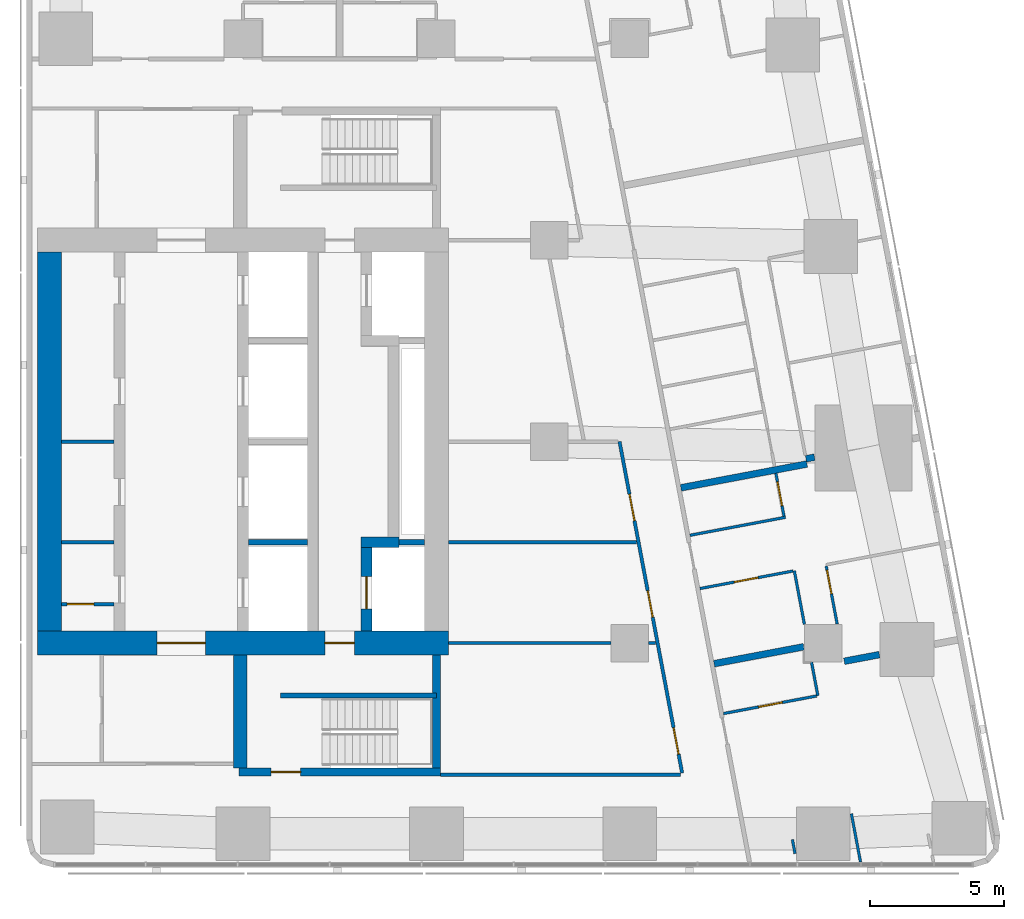
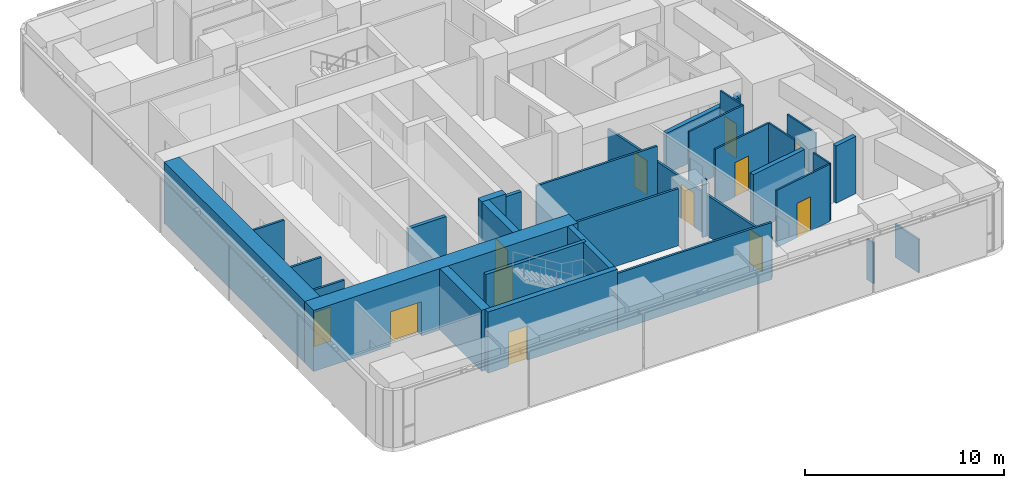
# One storey, part 5 of 11: 31 walls, 12 doors, 12 openings.
"""IFC4 building model written with IfcOpenShell, lengths in metres."""

import ifcopenshell
import ifcopenshell.guid

model = None  # the IFC model being written
_history = None  # IfcOwnerHistory: only IFC2X3 demands one
_inside = {}  # id of a spatial element -> (the spatial element, [elements in it])
_under = {}  # id of a project, library or spatial element -> (it, [spatial elements below it])
_declared = {}  # id of a project -> (the project, [libraries it declares])
_typed = {}  # id of a type object -> (the type object, [elements of that type])
_made_of = {}  # id of a material, layer set ... -> (it, [elements and type objects made of it])


def new_model(schema):
    """Start an empty IFC model of exactly this schema.

    Asked for "IFC4X3", IfcOpenShell would pick the latest addendum, in which some entities
    have other attributes; the version numbers below select the first issue.
    IFC2X3 requires an IfcOwnerHistory on every rooted entity: one is made here for all.
    """
    global model, _history
    if schema == "IFC4X3":
        model = ifcopenshell.file(schema_version=(4, 3, 0, 0))
    else:
        model = ifcopenshell.file(schema=schema)
    _inside.clear()
    _under.clear()
    _declared.clear()
    _typed.clear()
    _made_of.clear()
    _history = None
    if model.schema == "IFC2X3":
        org = make("IfcOrganization", Name="unknown")
        user = make(
            "IfcPersonAndOrganization",
            ThePerson=make("IfcPerson", FamilyName="unknown"),
            TheOrganization=org,
        )
        app = make(
            "IfcApplication",
            ApplicationDeveloper=org,
            Version="unknown",
            ApplicationFullName="unknown",
            ApplicationIdentifier="unknown",
        )
        _history = make(
            "IfcOwnerHistory",
            OwningUser=user,
            OwningApplication=app,
            ChangeAction="ADDED",
            CreationDate=0,
        )
    return model


def make(cls, **values):
    """One entity of the class cls with the attributes given. An attribute that is None is left unset."""
    return model.create_entity(
        cls, **{name: value for name, value in values.items() if value is not None}
    )


def rooted(cls, **values):
    """An entity with a GlobalId (a new one), such as an element, a storey or a relation."""
    return make(cls, GlobalId=ifcopenshell.guid.new(), OwnerHistory=_history, **values)


def si_unit(unit_type, name, prefix=None):
    """IfcSIUnit, for example si_unit("LENGTHUNIT", "METRE", prefix="MILLI")."""
    return make("IfcSIUnit", UnitType=unit_type, Prefix=prefix, Name=name)


def assignment(units):
    """IfcUnitAssignment: the units of a project."""
    return None if units is None else make("IfcUnitAssignment", Units=units)


def point(xyz):
    """IfcCartesianPoint."""
    return None if xyz is None else make("IfcCartesianPoint", Coordinates=xyz)


def direction(xyz):
    """IfcDirection."""
    return None if xyz is None else make("IfcDirection", DirectionRatios=xyz)


def frame(location, z_axis=None, x_axis=None):
    """IfcAxis2Placement3D, a coordinate frame: its origin and axes. An axis left out is left unset."""
    return make(
        "IfcAxis2Placement3D",
        Location=point(location),
        Axis=direction(z_axis),
        RefDirection=direction(x_axis),
    )


def frame_2d(location, x_axis=None):
    """IfcAxis2Placement2D, a coordinate frame in the plane: its origin and x axis."""
    return make(
        "IfcAxis2Placement2D", Location=point(location), RefDirection=direction(x_axis)
    )


def origin():
    """The frame at (0, 0, 0) with its axes left unset."""
    return frame((0.0, 0.0, 0.0))


def place(relative_to, where):
    """IfcLocalPlacement: puts the frame where relative to a parent placement (None: the world)."""
    return make(
        "IfcLocalPlacement", PlacementRelTo=relative_to, RelativePlacement=where
    )


def context(
    kind, dimensions, precision=None, world=None, true_north=None, identifier=None
):
    """IfcGeometricRepresentationContext, for example the 3D "Model" context."""
    return make(
        "IfcGeometricRepresentationContext",
        ContextIdentifier=identifier,
        ContextType=kind,
        CoordinateSpaceDimension=dimensions,
        Precision=precision,
        WorldCoordinateSystem=world,
        TrueNorth=true_north,
    )


def subcontext(parent, identifier, kind, view, scale=None):
    """IfcGeometricRepresentationSubContext, for example "Body" below "Model"."""
    return make(
        "IfcGeometricRepresentationSubContext",
        ContextIdentifier=identifier,
        ContextType=kind,
        ParentContext=parent,
        TargetScale=scale,
        TargetView=view,
    )


def project(units=None, contexts=None):
    """IfcProject with its units and contexts."""
    return rooted(
        "IfcProject",
        Name="project",
        RepresentationContexts=contexts,
        UnitsInContext=assignment(units),
    )


def spatial(cls, under=None, at=None, **own):
    """A site, building, storey or space (cls), placed at a placement, below another one or the project."""
    s = rooted(cls, ObjectPlacement=at, **own)
    if under is not None:
        _under.setdefault(under.id(), (under, []))[1].append(s)
    return s


def profile(cls, at=None, kind="AREA", **sizes):
    """A parametric profile (cls). Its sizes go by their IFC names, for example OverallWidth=200.0."""
    return make(cls, ProfileType=kind, Position=at, **sizes)


def rectangle(**sizes):
    """IfcRectangleProfileDef."""
    return profile("IfcRectangleProfileDef", **sizes)


def extrude(swept, where, along, depth):
    """IfcExtrudedAreaSolid: the profile swept, set in the frame where, extruded along a direction by depth."""
    return make(
        "IfcExtrudedAreaSolid",
        SweptArea=swept,
        Position=where,
        ExtrudedDirection=direction(along),
        Depth=depth,
    )


def shape(context_of_items, identifier, shape_type, items):
    """IfcShapeRepresentation: the items that make up one representation, for example the "Body"."""
    return make(
        "IfcShapeRepresentation",
        ContextOfItems=context_of_items,
        RepresentationIdentifier=identifier,
        RepresentationType=shape_type,
        Items=items,
    )


def material(Name=None, Category=None):
    """IfcMaterial."""
    return make("IfcMaterial", Name=Name, Category=Category)


def layer(
    of_material, thickness, ventilated=None, Name=None, Category=None, Priority=None
):
    """IfcMaterialLayer: one layer of a wall or slab, of a material (None: an air gap)."""
    return make(
        "IfcMaterialLayer",
        Material=of_material,
        LayerThickness=thickness,
        IsVentilated=ventilated,
        Name=Name,
        Category=Category,
        Priority=Priority,
    )


def layer_set(layers, Name=None):
    """IfcMaterialLayerSet."""
    return make("IfcMaterialLayerSet", MaterialLayers=layers, LayerSetName=Name)


def made_of(thing, what):
    """Note that an element or type object is made of a material, layer set ...; save() writes the relation."""
    if what is not None:
        _made_of.setdefault(what.id(), (what, []))[1].append(thing)
    return thing


def type_object(cls, material=None, **own):
    """A type object (cls), such as IfcWallType, which elements share."""
    return made_of(rooted(cls, **own), material)


def element(
    cls,
    number,
    at=None,
    inside=None,
    cuts=None,
    type_object=None,
    material=None,
    context=None,
    identifier="Body",
    shape_type=None,
    held_by="IfcProductDefinitionShape",
    body=None,
    shapes=None,
    **own,
):
    """One element of the class cls, such as IfcWall. Its Tag is "e" and its number.

    at: its placement. inside: the storey or other place that contains it. cuts: it is an
    opening in that element (IfcRelVoidsElement). A single representation is given by context,
    identifier, shape_type and body (its items); several are given by shapes. held_by: the class
    of the entity that holds the representations. save() writes the other relations.
    """
    e = rooted(cls, Tag="e%d" % number, ObjectPlacement=at, **own)
    if body is not None:
        shapes = [shape(context, identifier, shape_type, body)]
    if shapes is not None:
        e.Representation = make(held_by, Representations=shapes)
    if inside is not None:
        _inside.setdefault(inside.id(), (inside, []))[1].append(e)
    if cuts is not None:
        rooted(
            "IfcRelVoidsElement", RelatingBuildingElement=cuts, RelatedOpeningElement=e
        )
    if type_object is not None:
        _typed.setdefault(type_object.id(), (type_object, []))[1].append(e)
    return made_of(e, material)


def fill(opening, filler):
    """IfcRelFillsElement: the door or window that sits in an opening."""
    return rooted(
        "IfcRelFillsElement",
        RelatingOpeningElement=opening,
        RelatedBuildingElement=filler,
    )


def aggregate(whole, parts):
    """IfcRelAggregates: a whole, such as a stair, and the parts it consists of."""
    return rooted("IfcRelAggregates", RelatingObject=whole, RelatedObjects=parts)


def save(model, path):
    """Write the relations noted so far, then the file.

    IfcRelAggregates (storeys below a building ...), IfcRelContainedInSpatialStructure (elements
    in a storey), IfcRelDefinesByType, IfcRelAssociatesMaterial and IfcRelDeclares: one each for
    every whole, place, type object, material and project.
    """
    for whole, parts in _under.values():
        aggregate(whole, parts)
    for where, things in _inside.values():
        rooted(
            "IfcRelContainedInSpatialStructure",
            RelatedElements=things,
            RelatingStructure=where,
        )
    for kind, things in _typed.values():
        rooted("IfcRelDefinesByType", RelatedObjects=things, RelatingType=kind)
    for what, things in _made_of.values():
        rooted("IfcRelAssociatesMaterial", RelatedObjects=things, RelatingMaterial=what)
    for by, libraries in _declared.values():
        rooted("IfcRelDeclares", RelatingContext=by, RelatedDefinitions=libraries)
    model.write(path)


model = new_model("IFC4")

# Units and contexts
model_context = context("Model", 3, precision=1e-05, world=origin(), true_north=direction((0.0, 1.0)))
body_context = subcontext(model_context, "Body", "Model", "MODEL_VIEW")
ifc_project = project(units=[si_unit("LENGTHUNIT", "METRE"), si_unit("AREAUNIT", "SQUARE_METRE"), si_unit("VOLUMEUNIT", "CUBIC_METRE"), si_unit("PLANEANGLEUNIT", "RADIAN"), si_unit("MASSUNIT", "GRAM", prefix="KILO")], contexts=[model_context])

# Site, building, storey
site_placement = place(None, origin())
site = spatial("IfcSite", under=ifc_project, at=site_placement, CompositionType="ELEMENT")
building_placement = place(site_placement, origin())
building = spatial("IfcBuilding", under=site, at=building_placement, Name="Sheger Commons Tower", CompositionType="ELEMENT")
storey_placement = place(building_placement, frame((0.0, 0.0, 255.35009765625)))
storey = spatial("IfcBuildingStorey", under=building, at=storey_placement, Name="L65", CompositionType="ELEMENT", Elevation=255.35009765625)

# Wall, opening, door
ifc_material_1 = material(Name="Concrete C50/60", Category="concrete")
ifc_layer_1 = layer(ifc_material_1, 0.39990234375)
ifc_layer_set_1 = layer_set([ifc_layer_1], Name="CORE INNER WALL 400")
wall_type_1 = type_object("IfcWallType", Name="CORE INNER WALL 400", PredefinedType="SHEAR", material=ifc_layer_set_1)
wall_1_placement = place(storey_placement, frame((26.199951171875, 15.449951171875, 0.0), z_axis=(0.0, 0.0, 1.0), x_axis=(0.0, 1.0, 0.0)))
wall_1 = element("IfcWall", 1, at=wall_1_placement, inside=storey, type_object=wall_type_1, Name="Core inner wall F L65", PredefinedType="SHEAR", context=body_context, shape_type="SweptSolid", body=[
    extrude(rectangle(XDim=3.10009765625, YDim=0.39990234375, at=frame_2d((1.550048828125, 0.0))), origin(), (0.0, 0.0, 1.0), 3.75),
])
opening_1_placement = place(wall_1_placement, frame((0.824951171875, 0.0, 0.0)))
opening_1 = element("IfcOpeningElement", 2, at=opening_1_placement, cuts=wall_1, Name="Opening LD2", PredefinedType="OPENING", context=body_context, shape_type="SweptSolid", body=[
    extrude(rectangle(XDim=1.199951171875, YDim=2.10009765625, at=frame_2d((0.60009765625, 1.050048828125))), frame((0.0, 0.2099609375, 0.0), z_axis=(0.0, -1.0, 0.0), x_axis=(1.0, 0.0, 0.0)), (0.0, 0.0, 1.0), 0.419921875),
])
ifc_material_2 = material(Name="Steel door set, fire rated", Category="steel")
door_type_1 = type_object("IfcDoorType", Name="FIREFIGHTING LIFT LANDING DOOR 1200x2100", OperationType="DOUBLE_DOOR_SLIDING", PredefinedType="DOOR", material=ifc_material_2)
door_1_placement = place(opening_1_placement, origin())
door_1 = element("IfcDoor", 3, at=door_1_placement, inside=storey, type_object=door_type_1, Name="Lift FL1 landing door", OperationType="DOUBLE_DOOR_SLIDING", OverallHeight=2.10009765625, OverallWidth=1.199951171875, PredefinedType="DOOR", context=body_context, shape_type="SweptSolid", body=[
    extrude(rectangle(XDim=1.199951171875, YDim=2.10009765625, at=frame_2d((0.60009765625, 1.050048828125))), frame((0.0, 0.02490234375, 0.0), z_axis=(0.0, -1.0, 0.0), x_axis=(1.0, 0.0, 0.0)), (0.0, 0.0, 1.0), 0.050048828125),
])
fill(opening_1, door_1)

# Wall
wall_2_placement = place(storey_placement, frame((26.0, 18.75, 0.0), z_axis=(0.0, 0.0, 1.0), x_axis=(1.0, 0.0, 0.0)))
element("IfcWall", 4, at=wall_2_placement, inside=storey, type_object=wall_type_1, Name="Core inner wall F south return L65", PredefinedType="SHEAR", context=body_context, shape_type="SweptSolid", body=[
    extrude(rectangle(XDim=1.39990234375, YDim=0.39990234375, at=frame_2d((0.699951171875, 0.0))), origin(), (0.0, 0.0, 1.0), 3.75),
])

# Wall, openings, doors
ifc_material_3 = material(Name="Concrete C50/60", Category="concrete")
ifc_layer_2 = layer(ifc_material_3, 0.89990234375)
ifc_layer_set_2 = layer_set([ifc_layer_2], Name="CORE WALL 900")
wall_type_2 = type_object("IfcWallType", Name="CORE WALL 900", PredefinedType="SHEAR", material=ifc_layer_set_2)
wall_3_placement = place(storey_placement, frame((13.949951171875, 15.0, 0.0), z_axis=(0.0, 0.0, 1.0), x_axis=(1.0, 0.0, 0.0)))
wall_3 = element("IfcWall", 5, at=wall_3_placement, inside=storey, type_object=wall_type_2, Name="Core wall south L65", PredefinedType="SHEAR", context=body_context, shape_type="SweptSolid", body=[
    extrude(rectangle(XDim=15.300048828125, YDim=0.89990234375, at=frame_2d((7.64990234375, 0.0))), origin(), (0.0, 0.0, 1.0), 3.75),
])
opening_2_placement = place(wall_3_placement, frame((4.449951171875, 0.0, 0.0)))
opening_2 = element("IfcOpeningElement", 6, at=opening_2_placement, cuts=wall_3, Name="Opening D6", PredefinedType="OPENING", context=body_context, shape_type="SweptSolid", body=[
    extrude(rectangle(XDim=1.800048828125, YDim=2.10009765625, at=frame_2d((0.89990234375, 1.050048828125))), frame((0.0, 0.4599609375, 0.0), z_axis=(0.0, -1.0, 0.0), x_axis=(1.0, 0.0, 0.0)), (0.0, 0.0, 1.0), 0.919921875),
])
opening_3_placement = place(wall_3_placement, frame((10.699951171875, 0.0, 0.0)))
opening_3 = element("IfcOpeningElement", 7, at=opening_3_placement, cuts=wall_3, Name="Opening D5", PredefinedType="OPENING", context=body_context, shape_type="SweptSolid", body=[
    extrude(rectangle(XDim=1.10009765625, YDim=2.10009765625, at=frame_2d((0.550048828125, 1.050048828125))), frame((0.0, 0.4599609375, 0.0), z_axis=(0.0, -1.0, 0.0), x_axis=(1.0, 0.0, 0.0)), (0.0, 0.0, 1.0), 0.919921875),
])
ifc_material_4 = material(Name="Steel door set, fire rated", Category="steel")
door_type_2 = type_object("IfcDoorType", Name="LOBBY DOUBLE DOOR 1800x2100", OperationType="DOUBLE_DOOR_SINGLE_SWING", PredefinedType="DOOR", material=ifc_material_4)
door_2_placement = place(opening_2_placement, origin())
door_2 = element("IfcDoor", 8, at=door_2_placement, inside=storey, type_object=door_type_2, Name="Lift lobby door", OperationType="DOUBLE_DOOR_SINGLE_SWING", OverallHeight=2.10009765625, OverallWidth=1.800048828125, PredefinedType="DOOR", context=body_context, shape_type="SweptSolid", body=[
    extrude(rectangle(XDim=1.800048828125, YDim=2.10009765625, at=frame_2d((0.89990234375, 1.050048828125))), frame((0.0, 0.02490234375, 0.0), z_axis=(0.0, -1.0, 0.0), x_axis=(1.0, 0.0, 0.0)), (0.0, 0.0, 1.0), 0.050048828125),
])
fill(opening_2, door_2)
ifc_material_5 = material(Name="Steel door set, fire rated", Category="steel")
door_type_3 = type_object("IfcDoorType", Name="STAIR DOOR 1100x2100", OperationType="NOTDEFINED", PredefinedType="DOOR", material=ifc_material_5)
door_3_placement = place(opening_3_placement, origin())
door_3 = element("IfcDoor", 9, at=door_3_placement, inside=storey, type_object=door_type_3, Name="Fire-fighting lobby door", OperationType="SINGLE_SWING_LEFT", OverallHeight=2.10009765625, OverallWidth=1.10009765625, PredefinedType="DOOR", context=body_context, shape_type="SweptSolid", body=[
    extrude(rectangle(XDim=1.10009765625, YDim=2.10009765625, at=frame_2d((0.550048828125, 1.050048828125))), frame((0.0, 0.02490234375, 0.0), z_axis=(0.0, -1.0, 0.0), x_axis=(1.0, 0.0, 0.0)), (0.0, 0.0, 1.0), 0.050048828125),
])
fill(opening_3, door_3)

# Walls
wall_4_placement = place(storey_placement, frame((14.39990234375, 15.449951171875, 0.0), z_axis=(0.0, 0.0, 1.0), x_axis=(0.0, 1.0, 0.0)))
element("IfcWall", 10, at=wall_4_placement, inside=storey, type_object=wall_type_2, Name="Core wall west L65", PredefinedType="SHEAR", context=body_context, shape_type="SweptSolid", body=[
    extrude(rectangle(XDim=14.10009765625, YDim=0.89990234375, at=frame_2d((7.050048828125, 0.0))), origin(), (0.0, 0.0, 1.0), 3.75),
])
ifc_material_6 = material(Name="Dense concrete block masonry, plastered both sides (separating wall between flats)", Category="masonry")
ifc_layer_3 = layer(ifc_material_6, 0.25)
ifc_layer_set_3 = layer_set([ifc_layer_3], Name="DEMISING WALL 250")
wall_type_3 = type_object("IfcWallType", Name="DEMISING WALL 250", PredefinedType="SOLIDWALL", material=ifc_layer_set_3)
wall_5_placement = place(storey_placement, frame((42.873046875, 21.91796875, 0.0), z_axis=(0.0, 0.0, 1.0), x_axis=(-0.982431406936, -0.186624035603, 0.0)))
element("IfcWall", 11, at=wall_5_placement, inside=storey, type_object=wall_type_3, Name="Demising wall L65", PredefinedType="SOLIDWALL", context=body_context, shape_type="SweptSolid", body=[
    extrude(rectangle(XDim=0.32177734375, YDim=0.25, at=frame_2d((0.160888671875, 0.0))), origin(), (0.0, 0.0, 1.0), 2.5),
])
wall_6_placement = place(storey_placement, frame((42.593017578125, 21.6650390625, 0.0), z_axis=(0.0, 0.0, 1.0), x_axis=(-0.982635807605, -0.185544791394, 0.0)))
element("IfcWall", 12, at=wall_6_placement, inside=storey, type_object=wall_type_3, Name="Demising wall L65", PredefinedType="SOLIDWALL", context=body_context, shape_type="SweptSolid", body=[
    extrude(rectangle(XDim=4.775146484375, YDim=0.25, at=frame_2d((2.3876953125, 0.0))), origin(), (0.0, 0.0, 1.0), 2.5),
])
wall_7_placement = place(storey_placement, frame((45.2900390625, 14.569091796875, 0.0), z_axis=(0.0, 0.0, 1.0), x_axis=(-0.982676759201, -0.185327782391, 0.0)))
element("IfcWall", 13, at=wall_7_placement, inside=storey, type_object=wall_type_3, Name="Demising wall L65", PredefinedType="SOLIDWALL", context=body_context, shape_type="SweptSolid", body=[
    extrude(rectangle(XDim=1.333251953125, YDim=0.25, at=frame_2d((0.66650390625, 0.0))), origin(), (0.0, 0.0, 1.0), 3.5),
])
wall_8_placement = place(storey_placement, frame((42.47607421875, 14.863037109375, 0.0), z_axis=(0.0, 0.0, 1.0), x_axis=(-0.982603567712, -0.185715450942, 0.0)))
element("IfcWall", 14, at=wall_8_placement, inside=storey, type_object=wall_type_3, Name="Demising wall L65", PredefinedType="SOLIDWALL", context=body_context, shape_type="SweptSolid", body=[
    extrude(rectangle(XDim=3.398193359375, YDim=0.25, at=frame_2d((1.69921875, 0.0))), origin(), (0.0, 0.0, 1.0), 3.5),
])
ifc_material_7 = material(Name="Gypsum board on steel studs", Category="steel")
ifc_layer_4 = layer(ifc_material_7, 0.10009765625)
ifc_layer_set_4 = layer_set([ifc_layer_4], Name="PARTITION 100")
wall_type_4 = type_object("IfcWallType", Name="PARTITION 100", PredefinedType="PARTITIONING", material=ifc_layer_set_4)
wall_9_placement = place(storey_placement, frame((44.248046875, 8.64599609375, 0.0), z_axis=(0.0, 0.0, 1.0), x_axis=(0.185417594585, -0.982659816833, 0.0)))
element("IfcWall", 15, at=wall_9_placement, inside=storey, type_object=wall_type_4, Name="Partition L65", PredefinedType="PARTITIONING", context=body_context, shape_type="SweptSolid", body=[
    extrude(rectangle(XDim=1.82763671875, YDim=0.10009765625, at=frame_2d((0.913818359375, 0.0))), origin(), (0.0, 0.0, 1.0), 2.0498046875),
])
wall_10_placement = place(storey_placement, frame((42.15087890625, 7.159912109375, 0.0), z_axis=(0.0, 0.0, 1.0), x_axis=(-0.185366164644, 0.982669519729, 0.0)))
element("IfcWall", 16, at=wall_10_placement, inside=storey, type_object=wall_type_4, Name="Partition L65", PredefinedType="PARTITIONING", context=body_context, shape_type="SweptSolid", body=[
    extrude(rectangle(XDim=0.533447265625, YDim=0.10009765625, at=frame_2d((0.2666015625, 0.0))), origin(), (0.0, 0.0, 1.0), 2.5),
])

# Wall, opening, door
wall_11_placement = place(storey_placement, frame((41.43701171875, 21.319091796875, 0.0), z_axis=(0.0, 0.0, 1.0), x_axis=(0.185793689589, -0.982588777113, 0.0)))
wall_11 = element("IfcWall", 17, at=wall_11_placement, inside=storey, type_object=wall_type_4, Name="Partition L65", PredefinedType="PARTITIONING", context=body_context, shape_type="SweptSolid", body=[
    extrude(rectangle(XDim=1.62548828125, YDim=0.10009765625, at=frame_2d((0.812744140625, 0.0))), origin(), (0.0, 0.0, 1.0), 3.5),
])
opening_4_placement = place(wall_11_placement, frame((0.324951171875, 0.0, 0.0)))
opening_4 = element("IfcOpeningElement", 18, at=opening_4_placement, cuts=wall_11, Name="Opening D2", PredefinedType="OPENING", context=body_context, shape_type="SweptSolid", body=[
    extrude(rectangle(XDim=0.89990234375, YDim=2.10009765625, at=frame_2d((0.449951171875, 1.050048828125))), frame((0.0, 0.06005859375, 0.0), z_axis=(0.0, -1.0, 0.0), x_axis=(1.0, 0.0, 0.0)), (0.0, 0.0, 1.0), 0.1201171875),
])
ifc_material_8 = material(Name="Timber door set", Category="wood")
door_type_4 = type_object("IfcDoorType", Name="INTERNAL DOOR 900x2100", OperationType="NOTDEFINED", PredefinedType="DOOR", material=ifc_material_8)
door_4_placement = place(opening_4_placement, origin())
door_4 = element("IfcDoor", 19, at=door_4_placement, inside=storey, type_object=door_type_4, Name="Shower room door", OperationType="SINGLE_SWING_RIGHT", OverallHeight=2.10009765625, OverallWidth=0.89990234375, PredefinedType="DOOR", context=body_context, shape_type="SweptSolid", body=[
    extrude(rectangle(XDim=0.89990234375, YDim=2.10009765625, at=frame_2d((0.449951171875, 1.050048828125))), frame((0.0, 0.02490234375, 0.0), z_axis=(0.0, -1.0, 0.0), x_axis=(1.0, 0.0, 0.0)), (0.0, 0.0, 1.0), 0.050048828125),
])
fill(opening_4, door_4)

# Wall
wall_12_placement = place(storey_placement, frame((41.798095703125, 19.681884765625, 0.0), z_axis=(0.0, 0.0, 1.0), x_axis=(-0.982681091817, -0.185304807776, 0.0)))
element("IfcWall", 20, at=wall_12_placement, inside=storey, type_object=wall_type_4, Name="Partition L65", PredefinedType="PARTITIONING", context=body_context, shape_type="SweptSolid", body=[
    extrude(rectangle(XDim=3.625732421875, YDim=0.10009765625, at=frame_2d((1.81298828125, 0.0))), origin(), (0.0, 0.0, 1.0), 3.5),
])

# Wall, opening, door
wall_13_placement = place(storey_placement, frame((43.31103515625, 17.864990234375, 0.0), z_axis=(0.0, 0.0, 1.0), x_axis=(0.185572140257, -0.982630643101, 0.0)))
wall_13 = element("IfcWall", 21, at=wall_13_placement, inside=storey, type_object=wall_type_4, Name="Partition L65", PredefinedType="PARTITIONING", context=body_context, shape_type="SweptSolid", body=[
    extrude(rectangle(XDim=2.193115234375, YDim=0.10009765625, at=frame_2d((1.0966796875, 0.0))), origin(), (0.0, 0.0, 1.0), 3.5),
])
opening_5_placement = place(wall_13_placement, frame((0.14990234375, 0.0, 0.0)))
opening_5 = element("IfcOpeningElement", 22, at=opening_5_placement, cuts=wall_13, Name="Opening D2", PredefinedType="OPENING", context=body_context, shape_type="SweptSolid", body=[
    extrude(rectangle(XDim=0.89990234375, YDim=2.10009765625, at=frame_2d((0.449951171875, 1.050048828125))), frame((0.0, 0.06005859375, 0.0), z_axis=(0.0, -1.0, 0.0), x_axis=(1.0, 0.0, 0.0)), (0.0, 0.0, 1.0), 0.1201171875),
])
door_5_placement = place(opening_5_placement, origin())
door_5 = element("IfcDoor", 23, at=door_5_placement, inside=storey, type_object=door_type_4, Name="Main bedroom door", OperationType="SINGLE_SWING_LEFT", OverallHeight=2.10009765625, OverallWidth=0.89990234375, PredefinedType="DOOR", context=body_context, shape_type="SweptSolid", body=[
    extrude(rectangle(XDim=0.89990234375, YDim=2.10009765625, at=frame_2d((0.449951171875, 1.050048828125))), frame((0.0, 0.02490234375, 0.0), z_axis=(0.0, -1.0, 0.0), x_axis=(1.0, 0.0, 0.0)), (0.0, 0.0, 1.0), 0.050048828125),
])
fill(opening_5, door_5)

# Wall
wall_14_placement = place(storey_placement, frame((42.123046875, 17.69091796875, 0.0), z_axis=(0.0, 0.0, 1.0), x_axis=(0.185183804812, -0.98270390171, 0.0)))
element("IfcWall", 24, at=wall_14_placement, inside=storey, type_object=wall_type_4, Name="Partition L65", PredefinedType="PARTITIONING", context=body_context, shape_type="SweptSolid", body=[
    extrude(rectangle(XDim=2.02490234375, YDim=0.10009765625, at=frame_2d((1.012451171875, 0.0))), origin(), (0.0, 0.0, 1.0), 3.5),
])

# Wall, opening, door
wall_15_placement = place(storey_placement, frame((42.073974609375, 17.681884765625, 0.0), z_axis=(0.0, 0.0, 1.0), x_axis=(-0.982660701716, -0.185412904897, 0.0)))
wall_15 = element("IfcWall", 25, at=wall_15_placement, inside=storey, type_object=wall_type_4, Name="Partition L65", PredefinedType="PARTITIONING", context=body_context, shape_type="SweptSolid", body=[
    extrude(rectangle(XDim=3.526123046875, YDim=0.10009765625, at=frame_2d((1.76318359375, 0.0))), origin(), (0.0, 0.0, 1.0), 3.5),
])
opening_6_placement = place(wall_15_placement, frame((1.325927734375, 0.0, 0.0)))
opening_6 = element("IfcOpeningElement", 26, at=opening_6_placement, cuts=wall_15, Name="Opening D2", PredefinedType="OPENING", context=body_context, shape_type="SweptSolid", body=[
    extrude(rectangle(XDim=0.89990234375, YDim=2.10009765625, at=frame_2d((0.449951171875, 1.050048828125))), frame((0.0, 0.06005859375, 0.0), z_axis=(0.0, -1.0, 0.0), x_axis=(1.0, 0.0, 0.0)), (0.0, 0.0, 1.0), 0.1201171875),
])
door_6_placement = place(opening_6_placement, origin())
door_6 = element("IfcDoor", 27, at=door_6_placement, inside=storey, type_object=door_type_4, Name="Store door", OperationType="SINGLE_SWING_RIGHT", OverallHeight=2.10009765625, OverallWidth=0.89990234375, PredefinedType="DOOR", context=body_context, shape_type="SweptSolid", body=[
    extrude(rectangle(XDim=0.89990234375, YDim=2.10009765625, at=frame_2d((0.449951171875, 1.050048828125))), frame((0.0, 0.02490234375, 0.0), z_axis=(0.0, -1.0, 0.0), x_axis=(1.0, 0.0, 0.0)), (0.0, 0.0, 1.0), 0.050048828125),
])
fill(opening_6, door_6)

# Wall
wall_16_placement = place(storey_placement, frame((42.764892578125, 14.2900390625, 0.0), z_axis=(0.0, 0.0, 1.0), x_axis=(0.185446293138, -0.982654401283, 0.0)))
element("IfcWall", 28, at=wall_16_placement, inside=storey, type_object=wall_type_4, Name="Partition L65", PredefinedType="PARTITIONING", context=body_context, shape_type="SweptSolid", body=[
    extrude(rectangle(XDim=1.27294921875, YDim=0.10009765625, at=frame_2d((0.636474609375, 0.0))), origin(), (0.0, 0.0, 1.0), 3.5),
])

# Wall, opening, door
wall_17_placement = place(storey_placement, frame((42.951904296875, 13.030029296875, 0.0), z_axis=(0.0, 0.0, 1.0), x_axis=(-0.982585626838, -0.185810349366, 0.0)))
wall_17 = element("IfcWall", 29, at=wall_17_placement, inside=storey, type_object=wall_type_4, Name="Partition L65", PredefinedType="PARTITIONING", context=body_context, shape_type="SweptSolid", body=[
    extrude(rectangle(XDim=3.525146484375, YDim=0.10009765625, at=frame_2d((1.7626953125, 0.0))), origin(), (0.0, 0.0, 1.0), 3.5),
])
opening_7_placement = place(wall_17_placement, frame((1.299072265625, 0.0, 0.0)))
opening_7 = element("IfcOpeningElement", 30, at=opening_7_placement, cuts=wall_17, Name="Opening D2", PredefinedType="OPENING", context=body_context, shape_type="SweptSolid", body=[
    extrude(rectangle(XDim=0.89990234375, YDim=2.10009765625, at=frame_2d((0.449951171875, 1.050048828125))), frame((0.0, 0.06005859375, 0.0), z_axis=(0.0, -1.0, 0.0), x_axis=(1.0, 0.0, 0.0)), (0.0, 0.0, 1.0), 0.1201171875),
])
door_7_placement = place(opening_7_placement, origin())
door_7 = element("IfcDoor", 31, at=door_7_placement, inside=storey, type_object=door_type_4, Name="Shower room door", OperationType="SINGLE_SWING_RIGHT", OverallHeight=2.10009765625, OverallWidth=0.89990234375, PredefinedType="DOOR", context=body_context, shape_type="SweptSolid", body=[
    extrude(rectangle(XDim=0.89990234375, YDim=2.10009765625, at=frame_2d((0.449951171875, 1.050048828125))), frame((0.0, 0.02490234375, 0.0), z_axis=(0.0, -1.0, 0.0), x_axis=(1.0, 0.0, 0.0)), (0.0, 0.0, 1.0), 0.050048828125),
])
fill(opening_7, door_7)

# Wall
ifc_material_9 = material(Name="Gypsum board on steel studs, two layers each side, fire rated", Category="steel")
ifc_layer_5 = layer(ifc_material_9, 0.125)
ifc_layer_set_5 = layer_set([ifc_layer_5], Name="SERVICE WALL 125")
wall_type_5 = type_object("IfcWallType", Name="SERVICE WALL 125", PredefinedType="PARTITIONING", material=ifc_layer_set_5)
wall_18_placement = place(storey_placement, frame((28.949951171875, 10.10009765625, 0.0), z_axis=(0.0, 0.0, 1.0), x_axis=(1.0, 0.0, 0.0)))
element("IfcWall", 32, at=wall_18_placement, inside=storey, type_object=wall_type_5, Name="Service room wall L65", PredefinedType="PARTITIONING", context=body_context, shape_type="SweptSolid", body=[
    extrude(rectangle(XDim=8.93310546875, YDim=0.125, at=frame_2d((4.466552734375, 0.0))), origin(), (0.0, 0.0, 1.0), 3.5),
])

# Wall, openings, doors
wall_19_placement = place(storey_placement, frame((37.947021484375, 10.1630859375, 0.0), z_axis=(0.0, 0.0, 1.0), x_axis=(-0.185589250699, 0.982627411599, 0.0)))
wall_19 = element("IfcWall", 33, at=wall_19_placement, inside=storey, type_object=wall_type_5, Name="Service room wall L65", PredefinedType="PARTITIONING", context=body_context, shape_type="SweptSolid", body=[
    extrude(rectangle(XDim=12.554931640625, YDim=0.125, at=frame_2d((6.27734375, 0.0))), origin(), (0.0, 0.0, 1.0), 2.5),
])
opening_8_placement = place(wall_19_placement, frame((0.7080078125, 0.0, 0.0)))
opening_8 = element("IfcOpeningElement", 34, at=opening_8_placement, cuts=wall_19, Name="Opening D4", PredefinedType="OPENING", context=body_context, shape_type="SweptSolid", body=[
    extrude(rectangle(XDim=1.0, YDim=2.10009765625, at=frame_2d((0.5, 1.050048828125))), frame((0.0, 0.072509765625, 0.0), z_axis=(0.0, -1.0, 0.0), x_axis=(1.0, 0.0, 0.0)), (0.0, 0.0, 1.0), 0.14501953125),
])
opening_9_placement = place(wall_19_placement, frame((5.89990234375, 0.0, 0.0)))
opening_9 = element("IfcOpeningElement", 35, at=opening_9_placement, cuts=wall_19, Name="Opening D4", PredefinedType="OPENING", context=body_context, shape_type="SweptSolid", body=[
    extrude(rectangle(XDim=1.0, YDim=2.10009765625, at=frame_2d((0.5, 1.050048828125))), frame((0.0, 0.072509765625, 0.0), z_axis=(0.0, -1.0, 0.0), x_axis=(1.0, 0.0, 0.0)), (0.0, 0.0, 1.0), 0.14501953125),
])
opening_10_placement = place(wall_19_placement, frame((9.56201171875, 0.0, 0.0)))
opening_10 = element("IfcOpeningElement", 36, at=opening_10_placement, cuts=wall_19, Name="Opening D4", PredefinedType="OPENING", context=body_context, shape_type="SweptSolid", body=[
    extrude(rectangle(XDim=1.0, YDim=2.10009765625, at=frame_2d((0.5, 1.050048828125))), frame((0.0, 0.072509765625, 0.0), z_axis=(0.0, -1.0, 0.0), x_axis=(1.0, 0.0, 0.0)), (0.0, 0.0, 1.0), 0.14501953125),
])
ifc_material_10 = material(Name="Steel door set, fire rated", Category="steel")
door_type_5 = type_object("IfcDoorType", Name="SERVICE DOOR 1000x2100", OperationType="NOTDEFINED", PredefinedType="DOOR", material=ifc_material_10)
door_8_placement = place(opening_8_placement, origin())
door_8 = element("IfcDoor", 37, at=door_8_placement, inside=storey, type_object=door_type_5, Name="Residents' study room door", OperationType="SINGLE_SWING_LEFT", OverallHeight=2.10009765625, OverallWidth=1.0, PredefinedType="DOOR", context=body_context, shape_type="SweptSolid", body=[
    extrude(rectangle(XDim=1.0, YDim=2.10009765625, at=frame_2d((0.5, 1.050048828125))), frame((0.0, 0.02490234375, 0.0), z_axis=(0.0, -1.0, 0.0), x_axis=(1.0, 0.0, 0.0)), (0.0, 0.0, 1.0), 0.050048828125),
])
fill(opening_8, door_8)
door_9_placement = place(opening_9_placement, origin())
door_9 = element("IfcDoor", 38, at=door_9_placement, inside=storey, type_object=door_type_5, Name="Residents' hobby room door", OperationType="SINGLE_SWING_LEFT", OverallHeight=2.10009765625, OverallWidth=1.0, PredefinedType="DOOR", context=body_context, shape_type="SweptSolid", body=[
    extrude(rectangle(XDim=1.0, YDim=2.10009765625, at=frame_2d((0.5, 1.050048828125))), frame((0.0, 0.02490234375, 0.0), z_axis=(0.0, -1.0, 0.0), x_axis=(1.0, 0.0, 0.0)), (0.0, 0.0, 1.0), 0.050048828125),
])
fill(opening_9, door_9)
door_10_placement = place(opening_10_placement, origin())
door_10 = element("IfcDoor", 39, at=door_10_placement, inside=storey, type_object=door_type_5, Name="Bicycle and pram store door", OperationType="SINGLE_SWING_LEFT", OverallHeight=2.10009765625, OverallWidth=1.0, PredefinedType="DOOR", context=body_context, shape_type="SweptSolid", body=[
    extrude(rectangle(XDim=1.0, YDim=2.10009765625, at=frame_2d((0.5, 1.050048828125))), frame((0.0, 0.02490234375, 0.0), z_axis=(0.0, -1.0, 0.0), x_axis=(1.0, 0.0, 0.0)), (0.0, 0.0, 1.0), 0.050048828125),
])
fill(opening_10, door_10)

# Walls
wall_20_placement = place(storey_placement, frame((29.25, 15.0, 0.0), z_axis=(0.0, 0.0, 1.0), x_axis=(1.0, 0.0, 0.0)))
element("IfcWall", 40, at=wall_20_placement, inside=storey, type_object=wall_type_5, Name="Service room wall L65", PredefinedType="PARTITIONING", context=body_context, shape_type="SweptSolid", body=[
    extrude(rectangle(XDim=6.049072265625, YDim=0.125, at=frame_2d((3.0244140625, 0.0))), origin(), (0.0, 0.0, 1.0), 3.5),
])
wall_21_placement = place(storey_placement, frame((36.700927734375, 15.0, 0.0), z_axis=(0.0, 0.0, 1.0), x_axis=(1.0, 0.0, 0.0)))
element("IfcWall", 41, at=wall_21_placement, inside=storey, type_object=wall_type_5, Name="Service room wall L65", PredefinedType="PARTITIONING", context=body_context, shape_type="SweptSolid", body=[
    extrude(rectangle(XDim=0.257080078125, YDim=0.125, at=frame_2d((0.12841796875, 0.0))), origin(), (0.0, 0.0, 1.0), 3.5),
])
wall_22_placement = place(storey_placement, frame((29.25, 18.75, 0.0), z_axis=(0.0, 0.0, 1.0), x_axis=(1.0, 0.0, 0.0)))
element("IfcWall", 42, at=wall_22_placement, inside=storey, type_object=wall_type_5, Name="Service room wall L65", PredefinedType="PARTITIONING", context=body_context, shape_type="SweptSolid", body=[
    extrude(rectangle(XDim=7.0, YDim=0.125, at=frame_2d((3.5, 0.0))), origin(), (0.0, 0.0, 1.0), 3.5),
])

# Wall, opening, door
wall_23_placement = place(storey_placement, frame((14.85009765625, 16.449951171875, 0.0), z_axis=(0.0, 0.0, 1.0), x_axis=(1.0, 0.0, 0.0)))
wall_23 = element("IfcWall", 43, at=wall_23_placement, inside=storey, type_object=wall_type_5, Name="Service room wall L65", PredefinedType="PARTITIONING", context=body_context, shape_type="SweptSolid", body=[
    extrude(rectangle(XDim=1.949951171875, YDim=0.125, at=frame_2d((0.97509765625, 0.0))), origin(), (0.0, 0.0, 1.0), 3.5),
])
opening_11_placement = place(wall_23_placement, frame((0.199951171875, 0.0, 0.0)))
opening_11 = element("IfcOpeningElement", 44, at=opening_11_placement, cuts=wall_23, Name="Opening D4", PredefinedType="OPENING", context=body_context, shape_type="SweptSolid", body=[
    extrude(rectangle(XDim=1.0, YDim=2.10009765625, at=frame_2d((0.5, 1.050048828125))), frame((0.0, 0.072509765625, 0.0), z_axis=(0.0, -1.0, 0.0), x_axis=(1.0, 0.0, 0.0)), (0.0, 0.0, 1.0), 0.14501953125),
])
door_11_placement = place(opening_11_placement, origin())
door_11 = element("IfcDoor", 45, at=door_11_placement, inside=storey, type_object=door_type_5, Name="Electrical riser door", OperationType="SINGLE_SWING_RIGHT", OverallHeight=2.10009765625, OverallWidth=1.0, PredefinedType="DOOR", context=body_context, shape_type="SweptSolid", body=[
    extrude(rectangle(XDim=1.0, YDim=2.10009765625, at=frame_2d((0.5, 1.050048828125))), frame((0.0, 0.02490234375, 0.0), z_axis=(0.0, -1.0, 0.0), x_axis=(1.0, 0.0, 0.0)), (0.0, 0.0, 1.0), 0.050048828125),
])
fill(opening_11, door_11)

# Walls
for number, where, z_axis, x_axis, name in (
    (46, (14.85009765625, 18.75, 0.0), (0.0, 0.0, 1.0), (1.0, 0.0, 0.0), "Service room wall L65"),
    (47, (14.85009765625, 22.5, 0.0), (0.0, 0.0, 1.0), (1.0, 0.0, 0.0), "Service room wall L65"),
):
    element("IfcWall", number, at=place(storey_placement, frame(where, z_axis=z_axis, x_axis=x_axis)), inside=storey, type_object=wall_type_5, Name=name, PredefinedType="PARTITIONING", context=body_context, shape_type="SweptSolid", body=[
        extrude(rectangle(XDim=1.949951171875, YDim=0.125, at=frame_2d((0.97509765625, 0.0))), origin(), (0.0, 0.0, 1.0), 3.5),
    ])
ifc_material_11 = material(Name="Hollow concrete block masonry", Category="masonry")
ifc_layer_6 = layer(ifc_material_11, 0.199951171875)
ifc_layer_set_6 = layer_set([ifc_layer_6], Name="SHAFT WALL 200")
wall_type_6 = type_object("IfcWallType", Name="SHAFT WALL 200", PredefinedType="SOLIDWALL", material=ifc_layer_set_6)
wall_24_placement = place(storey_placement, frame((21.800048828125, 18.75, 0.0), z_axis=(0.0, 0.0, 1.0), x_axis=(1.0, 0.0, 0.0)))
element("IfcWall", 48, at=wall_24_placement, inside=storey, type_object=wall_type_6, Name="Lift shaft wall L65", PredefinedType="SOLIDWALL", context=body_context, shape_type="SweptSolid", body=[
    extrude(rectangle(XDim=2.199951171875, YDim=0.199951171875, at=frame_2d((1.10009765625, 0.0))), origin(), (0.0, 0.0, 1.0), 3.5),
])
wall_25_placement = place(storey_placement, frame((27.39990234375, 18.75, 0.0), z_axis=(0.0, 0.0, 1.0), x_axis=(1.0, 0.0, 0.0)))
element("IfcWall", 49, at=wall_25_placement, inside=storey, type_object=wall_type_6, Name="Lift shaft wall L65", PredefinedType="SOLIDWALL", context=body_context, shape_type="SweptSolid", body=[
    extrude(rectangle(XDim=0.9501953125, YDim=0.199951171875, at=frame_2d((0.47509765625, 0.0))), origin(), (0.0, 0.0, 1.0), 3.5),
])

# Wall, opening, door
ifc_material_12 = material(Name="Concrete C50/60", Category="concrete")
ifc_layer_7 = layer(ifc_material_12, 0.300048828125)
ifc_layer_set_7 = layer_set([ifc_layer_7], Name="STAIR CORE WALL 300")
wall_type_7 = type_object("IfcWallType", Name="STAIR CORE WALL 300", PredefinedType="SHEAR", material=ifc_layer_set_7)
wall_26_placement = place(storey_placement, frame((21.449951171875, 10.199951171875, 0.0), z_axis=(0.0, 0.0, 1.0), x_axis=(1.0, 0.0, 0.0)))
wall_26 = element("IfcWall", 50, at=wall_26_placement, inside=storey, type_object=wall_type_7, Name="STW-L65-S1S", PredefinedType="SHEAR", context=body_context, shape_type="SweptSolid", body=[
    extrude(rectangle(XDim=7.5, YDim=0.300048828125, at=frame_2d((3.75, 0.0))), origin(), (0.0, 0.0, 1.0), 3.75),
])
opening_12_placement = place(wall_26_placement, frame((1.199951171875, 0.0, 0.0)))
opening_12 = element("IfcOpeningElement", 51, at=opening_12_placement, cuts=wall_26, Name="Opening D5", PredefinedType="OPENING", context=body_context, shape_type="SweptSolid", body=[
    extrude(rectangle(XDim=1.10009765625, YDim=2.10009765625, at=frame_2d((0.550048828125, 1.050048828125))), frame((0.0, 0.159912109375, 0.0), z_axis=(0.0, -1.0, 0.0), x_axis=(1.0, 0.0, 0.0)), (0.0, 0.0, 1.0), 0.320068359375),
])
door_12_placement = place(opening_12_placement, origin())
door_12 = element("IfcDoor", 52, at=door_12_placement, inside=storey, type_object=door_type_3, Name="Stair S1 door", OperationType="SINGLE_SWING_LEFT", OverallHeight=2.10009765625, OverallWidth=1.10009765625, PredefinedType="DOOR", context=body_context, shape_type="SweptSolid", body=[
    extrude(rectangle(XDim=1.10009765625, YDim=2.10009765625, at=frame_2d((0.550048828125, 1.050048828125))), frame((0.0, 0.02490234375, 0.0), z_axis=(0.0, -1.0, 0.0), x_axis=(1.0, 0.0, 0.0)), (0.0, 0.0, 1.0), 0.050048828125),
])
fill(opening_12, door_12)

# Walls
wall_27_placement = place(storey_placement, frame((28.800048828125, 10.35009765625, 0.0), z_axis=(0.0, 0.0, 1.0), x_axis=(0.0, 1.0, 0.0)))
element("IfcWall", 53, at=wall_27_placement, inside=storey, type_object=wall_type_7, Name="STW-L65-S1E", PredefinedType="SHEAR", context=body_context, shape_type="SweptSolid", body=[
    extrude(rectangle(XDim=4.199951171875, YDim=0.300048828125, at=frame_2d((2.10009765625, 0.0))), origin(), (0.0, 0.0, 1.0), 3.75),
])
ifc_material_13 = material(Name="Concrete C50/60", Category="concrete")
ifc_layer_8 = layer(ifc_material_13, 0.5)
ifc_layer_set_8 = layer_set([ifc_layer_8], Name="STAIR CORE WALL 500")
wall_type_8 = type_object("IfcWallType", Name="STAIR CORE WALL 500", PredefinedType="SHEAR", material=ifc_layer_set_8)
wall_28_placement = place(storey_placement, frame((21.5, 10.35009765625, 0.0), z_axis=(0.0, 0.0, 1.0), x_axis=(0.0, 1.0, 0.0)))
element("IfcWall", 54, at=wall_28_placement, inside=storey, type_object=wall_type_8, Name="STW-L65-S1W", PredefinedType="SHEAR", context=body_context, shape_type="SweptSolid", body=[
    extrude(rectangle(XDim=4.199951171875, YDim=0.5, at=frame_2d((2.10009765625, 0.0))), origin(), (0.0, 0.0, 1.0), 3.75),
])
ifc_material_14 = material(Name="Concrete C50/60", Category="concrete")
ifc_layer_9 = layer(ifc_material_14, 0.199951171875)
ifc_layer_set_9 = layer_set([ifc_layer_9], Name="STAIR SPINE WALL 200")
wall_type_9 = type_object("IfcWallType", Name="STAIR SPINE WALL 200", PredefinedType="SHEAR", material=ifc_layer_set_9)
wall_29_placement = place(storey_placement, frame((23.0, 13.050048828125, 0.0), z_axis=(0.0, 0.0, 1.0), x_axis=(1.0, 0.0, 0.0)))
element("IfcWall", 55, at=wall_29_placement, inside=storey, type_object=wall_type_9, Name="Stair spine wall L65", PredefinedType="SHEAR", context=body_context, shape_type="SweptSolid", body=[
    extrude(rectangle(XDim=5.800048828125, YDim=0.199951171875, at=frame_2d((2.89990234375, 0.0))), origin(), (0.0, 0.0, 1.0), 3.75),
])

save(model, "model.ifc")
